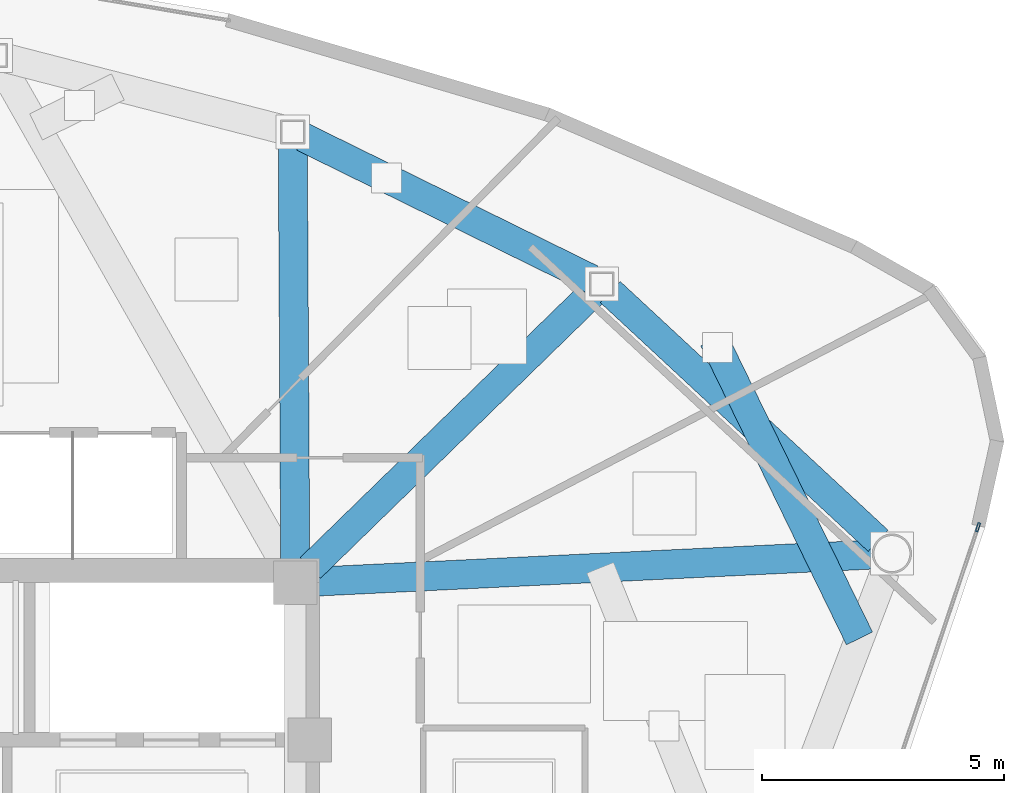
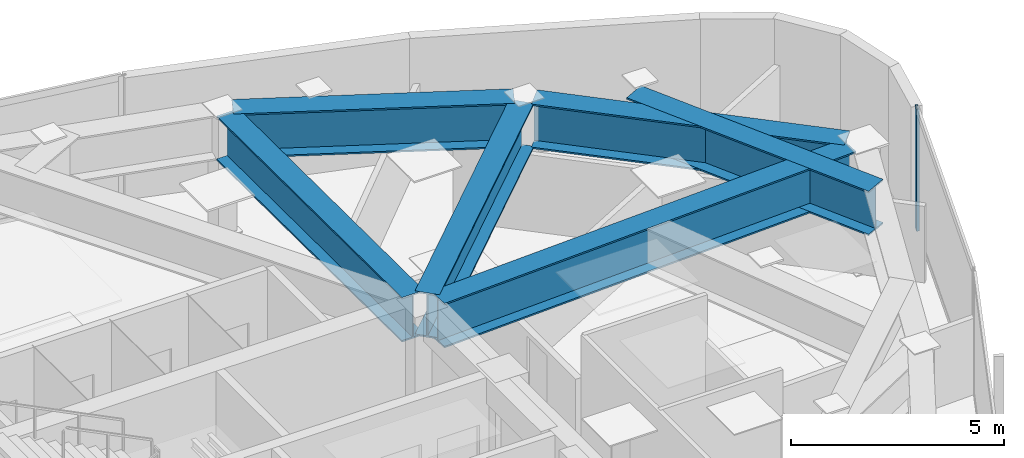
# One storey, part 6 of 13: 6 beams, 1 member, 1 element without a shape of its own.
"""IFC4 building model written with IfcOpenShell, lengths in metres."""

from ifc_helpers import new_model, si_unit, direction, frame, origin, origin_2d, place, context, subcontext, project, spatial, hollow_rectangle, i_section, extrude, source, transform, mapped, material, layer, layer_set, material_profile, profile_set, type_object, type_shapes, element, aggregate, save


model = new_model("IFC4")

# Units and contexts
model_context = context("Model", 3, precision=1e-05, world=origin(), true_north=direction((0.0, 1.0)))
body_context = subcontext(model_context, "Body", "Model", "MODEL_VIEW")
ifc_project = project(units=[si_unit("LENGTHUNIT", "METRE"), si_unit("AREAUNIT", "SQUARE_METRE"), si_unit("VOLUMEUNIT", "CUBIC_METRE"), si_unit("PLANEANGLEUNIT", "RADIAN"), si_unit("MASSUNIT", "GRAM", prefix="KILO")], contexts=[model_context])

# Site, building, storey
site_placement = place(None, origin())
site = spatial("IfcSite", under=ifc_project, at=site_placement, CompositionType="ELEMENT")
building_placement = place(site_placement, origin())
building = spatial("IfcBuilding", under=site, at=building_placement, Name="Tavelor Broadcast Tower", CompositionType="ELEMENT")
storey_placement = place(building_placement, frame((0.0, 0.0, 269.550048828125)))
storey = spatial("IfcBuildingStorey", under=building, at=storey_placement, Name="L64", CompositionType="ELEMENT", Elevation=269.550048828125)

# Beams
ifc_material_1 = material(Name="Steel S460", Category="steel")
ifc_material_profile_1 = material_profile(ifc_material_1, i_section(OverallWidth=0.60009765625, OverallDepth=1.280029296875, WebThickness=0.02587890625, FlangeThickness=0.044921875, at=origin_2d()), Name="PG 1280x600")
ifc_profile_set_1 = profile_set([ifc_material_profile_1], Name="Steel S460")
beam_type = type_object("IfcBeamType", Name="Upper Setback Transfer Girder PG1350", PredefinedType="BEAM", material=ifc_profile_set_1)
beam_1_placement = place(storey_placement, frame((68.6337890625, 52.064697265625, 2.85986328125), z_axis=(-0.732775058348, 0.680470950051, 0.0), x_axis=(-0.680470950051, -0.732775058348, 0.0)))
element("IfcBeam", 1, at=beam_1_placement, inside=storey, type_object=beam_type, Name="L64 Framed-Tube Ring Spandrel 13", PredefinedType="BEAM", context=body_context, shape_type="SweptSolid", body=[
    extrude(i_section(OverallWidth=0.60009765625, OverallDepth=1.280029296875, WebThickness=0.02587890625, FlangeThickness=0.044921875, at=origin_2d()), origin(), (0.0, 0.0, 1.0), 7.547607421875),
])
beam_2_placement = place(storey_placement, frame((62.7119140625, 57.469970703125, 2.85986328125), z_axis=(-0.897258179133, 0.441506240022, 0.0), x_axis=(-0.441506240022, -0.897258179134, 0.0)))
element("IfcBeam", 2, at=beam_2_placement, inside=storey, type_object=beam_type, Name="L64 Framed-Tube Ring Spandrel 14", PredefinedType="BEAM", context=body_context, shape_type="SweptSolid", body=[
    extrude(i_section(OverallWidth=0.60009765625, OverallDepth=1.280029296875, WebThickness=0.02587890625, FlangeThickness=0.044921875, at=origin_2d()), origin(), (0.0, 0.0, 1.0), 6.63232421875),
])
beam_3_placement = place(storey_placement, frame((57.031494140625, 51.220947265625, 2.85986328125), z_axis=(0.998819991205, 0.048565678915, 0.0), x_axis=(-0.048565678915, 0.998819991205, 0.0)))
element("IfcBeam", 3, at=beam_3_placement, inside=storey, type_object=beam_type, Name="L64 Radial Primary Floor Girder 13", PredefinedType="BEAM", context=body_context, shape_type="SweptSolid", body=[
    extrude(i_section(OverallWidth=0.60009765625, OverallDepth=1.280029296875, WebThickness=0.02587890625, FlangeThickness=0.044921875, at=origin_2d()), origin(), (0.0, 0.0, 1.0), 11.511962890625),
])
beam_4_placement = place(storey_placement, frame((56.909423828125, 51.50146484375, 2.85986328125), z_axis=(0.716304728622, 0.697787600745, 0.0), x_axis=(-0.697787600745, 0.716304728622, 0.0)))
element("IfcBeam", 4, at=beam_4_placement, inside=storey, type_object=beam_type, Name="L64 Radial Primary Floor Girder 14", PredefinedType="BEAM", context=body_context, shape_type="SweptSolid", body=[
    extrude(i_section(OverallWidth=0.60009765625, OverallDepth=1.280029296875, WebThickness=0.02587890625, FlangeThickness=0.044921875, at=origin_2d()), origin(), (0.0, 0.0, 1.0), 8.161376953125),
])
beam_5_placement = place(storey_placement, frame((56.597412109375, 51.632080078125, 2.85986328125), z_axis=(-0.005826187281, 0.999983027627, 0.0), x_axis=(-0.999983027627, -0.005826187281, 0.0)))
element("IfcBeam", 5, at=beam_5_placement, inside=storey, type_object=beam_type, Name="L64 Radial Primary Floor Girder 15", PredefinedType="BEAM", context=body_context, shape_type="SweptSolid", body=[
    extrude(i_section(OverallWidth=0.60009765625, OverallDepth=1.280029296875, WebThickness=0.02587890625, FlangeThickness=0.044921875, at=origin_2d()), origin(), (0.0, 0.0, 1.0), 8.63232421875),
])
beam_6_placement = place(storey_placement, frame((68.25048828125, 50.04638671875, 2.85986328125), z_axis=(-0.438401913982, 0.898779039485, 0.0), x_axis=(-0.898779039485, -0.438401913982, 0.0)))
element("IfcBeam", 6, at=beam_6_placement, inside=storey, type_object=beam_type, Name="L64 Cantilever Transfer Girder 13", PredefinedType="BEAM", context=body_context, shape_type="SweptSolid", body=[
    extrude(i_section(OverallWidth=0.60009765625, OverallDepth=1.280029296875, WebThickness=0.02587890625, FlangeThickness=0.044921875, at=origin_2d()), origin(), (0.0, 0.0, 1.0), 6.865966796875),
])

# Curtain wall, member
ifc_material_2 = material(Name="Architectural Anodized Aluminium", Category="aluminium")
ifc_layer = layer(ifc_material_2, 0.199951171875)
ifc_layer_set = layer_set([ifc_layer], Name="Architectural Anodized Aluminium")
curtain_wall_type = type_object("IfcCurtainWallType", Name="Tower High-Zone Triple-Glazed Curtain Wall CW04", PredefinedType="NOTDEFINED", material=ifc_layer_set)
curtain_wall_placement = place(storey_placement, origin())
curtain_wall = element("IfcCurtainWall", 7, at=curtain_wall_placement, inside=storey, type_object=curtain_wall_type, Name="L64 Curtain Wall CW04 Run 704", PredefinedType="NOTDEFINED")
ifc_material_profile_2 = material_profile(ifc_material_2, hollow_rectangle(XDim=0.070068359375, YDim=0.199951171875, WallThickness=0.02197265625, at=origin_2d()), Name="RHS 70x200x22")
ifc_profile_set_2 = profile_set([ifc_material_profile_2], Name="Architectural Anodized Aluminium")
member_type = type_object("IfcMemberType", Name="CW04 Extruded Aluminium Mullion 70x200", PredefinedType="MULLION", material=ifc_profile_set_2)
shared_shape = source(origin(), body_context, "Body", "SweptSolid", [
    extrude(hollow_rectangle(XDim=0.070068359375, YDim=0.199951171875, WallThickness=0.02197265625, at=origin_2d()), origin(), (0.0, 0.0, 1.0), 3.5),
])
type_shapes(member_type, [shared_shape])
member_placement = place(storey_placement, frame((70.6962890625, 52.343017578125, 0.0), z_axis=(0.0, 0.0, 1.0), x_axis=(-0.947635217037, 0.319354811193, 0.0)))
member = element("IfcMember", 8, at=member_placement, type_object=member_type, Name="CW04 mullion 2", PredefinedType="MULLION", context=body_context, shape_type="MappedRepresentation", body=[
    mapped(shared_shape, transform((0.0, 0.0, 0.0), scale=1.0)),
])
aggregate(curtain_wall, [member])

save(model, "model.ifc")
